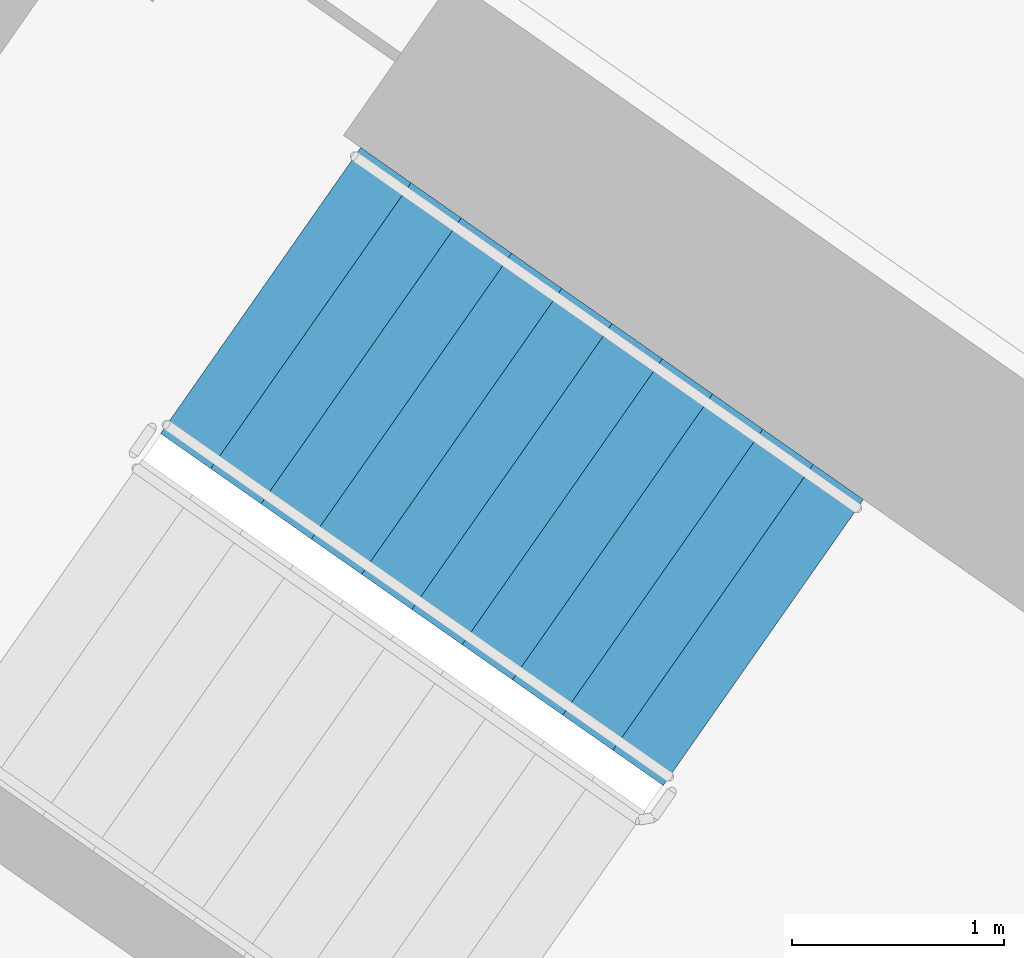
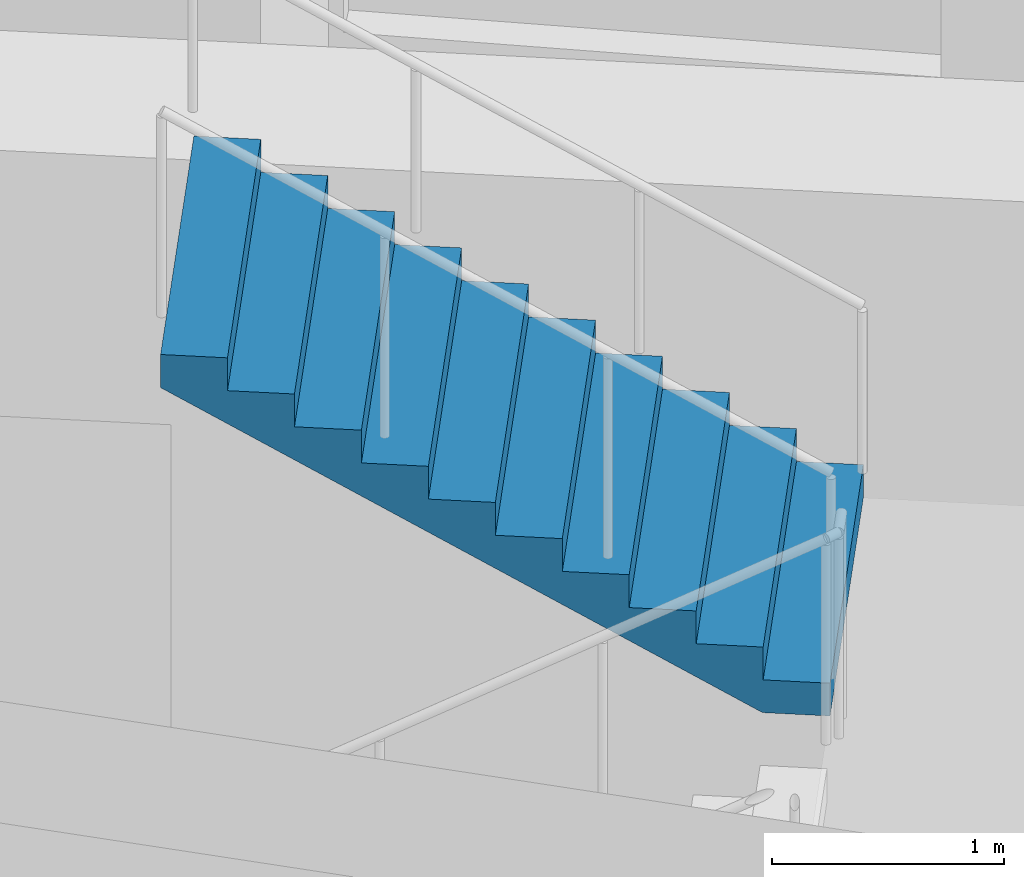
# One storey, part 13 of 29: 1 stair flight, 1 element without a shape of its own.
"""IFC4 building model written with IfcOpenShell, lengths in metres."""

from ifc_helpers import new_model, si_unit, direction, frame, origin, place, context, subcontext, project, spatial, faceted_brep, material, type_object, element, aggregate, save


model = new_model("IFC4")

# Units and contexts
model_context = context("Model", 3, precision=1e-05, world=origin(), true_north=direction((0.0, 1.0)))
body_context = subcontext(model_context, "Body", "Model", "MODEL_VIEW")
ifc_project = project(units=[si_unit("LENGTHUNIT", "METRE"), si_unit("AREAUNIT", "SQUARE_METRE"), si_unit("VOLUMEUNIT", "CUBIC_METRE"), si_unit("PLANEANGLEUNIT", "RADIAN"), si_unit("MASSUNIT", "GRAM", prefix="KILO")], contexts=[model_context])

# Site, building, storey
site_placement = place(None, origin())
site = spatial("IfcSite", under=ifc_project, at=site_placement, CompositionType="ELEMENT")
building_placement = place(site_placement, origin())
building = spatial("IfcBuilding", under=site, at=building_placement, Name="Qamariyya Broadcast Tower", CompositionType="ELEMENT")
storey_placement = place(building_placement, frame((0.0, 0.0, 136.699951171875)))
storey = spatial("IfcBuildingStorey", under=building, at=storey_placement, Name="L31", CompositionType="ELEMENT", Elevation=136.699951171875)

# Stair, stair flight
ifc_material = material(Name="Concrete C50/60", Category="concrete")
stair_type = type_object("IfcStairType", Name="Exit stair 22 risers of 173 mm", PredefinedType="HALF_TURN_STAIR", material=ifc_material)
stair_placement = place(storey_placement, origin())
stair = element("IfcStair", 1, at=stair_placement, inside=storey, type_object=stair_type, Name="L31 Stair W2", PredefinedType="HALF_TURN_STAIR")
stair_flight_type = type_object("IfcStairFlightType", Name="Exit stair flight 11 risers of 173 mm", PredefinedType="STRAIGHT", material=ifc_material)
stair_flight_placement = place(storey_placement, frame((-38.18310546875, -49.3486328125, 1.900146484375), z_axis=(0.0, 0.0, 1.0), x_axis=(-0.819152044289, 0.573576436351, 0.0)))
stair_flight = element("IfcStairFlight", 2, at=stair_flight_placement, type_object=stair_flight_type, Name="ST-W2 flight 2", NumberOfRisers=11, NumberOfTreads=10, PredefinedType="STRAIGHT", RiserHeight=0.172727273, TreadLength=0.29, context=body_context, shape_type="Brep", body=[
    faceted_brep([(0.0, 0.824951171875, 0.0), (0.0, 0.824951171875, 0.172607421875), (0.2900390625, 0.824951171875, 0.172607421875), (0.2900390625, 0.824951171875, 0.345458984375), (0.580078125, 0.824951171875, 0.345458984375), (0.580078125, 0.824951171875, 0.51806640625), (0.8701171875, 0.824951171875, 0.51806640625), (0.8701171875, 0.824951171875, 0.69091796875), (1.159912109375, 0.824951171875, 0.69091796875), (1.159912109375, 0.824951171875, 0.863525390625), (1.449951171875, 0.824951171875, 0.863525390625), (1.449951171875, 0.824951171875, 1.036376953125), (1.739990234375, 0.824951171875, 1.036376953125), (1.739990234375, 0.824951171875, 1.208984375), (2.030029296875, 0.824951171875, 1.208984375), (2.030029296875, 0.824951171875, 1.3818359375), (2.320068359375, 0.824951171875, 1.3818359375), (2.320068359375, 0.824951171875, 1.554443359375), (2.610107421875, 0.824951171875, 1.554443359375), (2.610107421875, 0.824951171875, 1.727294921875), (2.89990234375, 0.824951171875, 1.727294921875), (2.89990234375, 0.824951171875, 1.552734375), (0.29296875, 0.824951171875, 0.0), (0.29296875, -0.824951171875, 0.0), (2.89990234375, -0.824951171875, 1.552734375), (2.89990234375, -0.824951171875, 1.727294921875), (2.610107421875, -0.824951171875, 1.727294921875), (2.610107421875, -0.824951171875, 1.554443359375), (2.320068359375, -0.824951171875, 1.554443359375), (2.320068359375, -0.824951171875, 1.3818359375), (2.030029296875, -0.824951171875, 1.3818359375), (2.030029296875, -0.824951171875, 1.208984375), (1.739990234375, -0.824951171875, 1.208984375), (1.739990234375, -0.824951171875, 1.036376953125), (1.449951171875, -0.824951171875, 1.036376953125), (1.449951171875, -0.824951171875, 0.863525390625), (1.159912109375, -0.824951171875, 0.863525390625), (1.159912109375, -0.824951171875, 0.69091796875), (0.8701171875, -0.824951171875, 0.69091796875), (0.8701171875, -0.824951171875, 0.51806640625), (0.580078125, -0.824951171875, 0.51806640625), (0.580078125, -0.824951171875, 0.345458984375), (0.2900390625, -0.824951171875, 0.345458984375), (0.2900390625, -0.824951171875, 0.172607421875), (0.0, -0.824951171875, 0.172607421875), (0.0, -0.824951171875, 0.0), (0.0, 0.10009765625, 0.0), (0.0, 0.086669921875, 0.0), (0.0, 0.0732421875, 0.0), (0.0, 0.06005859375, 0.0), (0.0, 0.046630859375, 0.0), (0.0, 0.033447265625, 0.0), (0.0, 0.02001953125, 0.0), (0.0, 0.006591796875, 0.0), (0.0, -0.006591796875, 0.0), (0.0, -0.02001953125, 0.0), (0.0, -0.033447265625, 0.0), (0.0, -0.046630859375, 0.0), (0.0, -0.06005859375, 0.0), (0.0, -0.0732421875, 0.0), (0.0, -0.086669921875, 0.0), (0.0, -0.10009765625, 0.0), (0.0, -0.10009765625, 0.172607421875), (0.0, -0.086669921875, 0.172607421875), (0.0, -0.0732421875, 0.172607421875), (0.0, -0.06005859375, 0.172607421875), (0.0, -0.046630859375, 0.172607421875), (0.0, -0.033447265625, 0.172607421875), (0.0, -0.02001953125, 0.172607421875), (0.0, -0.006591796875, 0.172607421875), (0.0, 0.006591796875, 0.172607421875), (0.0, 0.02001953125, 0.172607421875), (0.0, 0.033447265625, 0.172607421875), (0.0, 0.046630859375, 0.172607421875), (0.0, 0.06005859375, 0.172607421875), (0.0, 0.0732421875, 0.172607421875), (0.0, 0.086669921875, 0.172607421875), (0.0, 0.10009765625, 0.172607421875), (0.2900390625, -0.10009765625, 0.172607421875), (0.2900390625, -0.086669921875, 0.172607421875), (0.2900390625, -0.0732421875, 0.172607421875), (0.2900390625, -0.06005859375, 0.172607421875), (0.2900390625, -0.046630859375, 0.172607421875), (0.2900390625, -0.033447265625, 0.172607421875), (0.2900390625, -0.02001953125, 0.172607421875), (0.2900390625, -0.006591796875, 0.172607421875), (0.2900390625, 0.006591796875, 0.172607421875), (0.2900390625, 0.02001953125, 0.172607421875), (0.2900390625, 0.033447265625, 0.172607421875), (0.2900390625, 0.046630859375, 0.172607421875), (0.2900390625, 0.06005859375, 0.172607421875), (0.2900390625, 0.0732421875, 0.172607421875), (0.2900390625, 0.086669921875, 0.172607421875), (0.2900390625, 0.10009765625, 0.172607421875), (0.2900390625, -0.10009765625, 0.345458984375), (0.2900390625, -0.086669921875, 0.345458984375), (0.2900390625, -0.0732421875, 0.345458984375), (0.2900390625, -0.06005859375, 0.345458984375), (0.2900390625, -0.046630859375, 0.345458984375), (0.2900390625, -0.033447265625, 0.345458984375), (0.2900390625, -0.02001953125, 0.345458984375), (0.2900390625, -0.006591796875, 0.345458984375), (0.2900390625, 0.006591796875, 0.345458984375), (0.2900390625, 0.02001953125, 0.345458984375), (0.2900390625, 0.033447265625, 0.345458984375), (0.2900390625, 0.046630859375, 0.345458984375), (0.2900390625, 0.06005859375, 0.345458984375), (0.2900390625, 0.0732421875, 0.345458984375), (0.2900390625, 0.086669921875, 0.345458984375), (0.2900390625, 0.10009765625, 0.345458984375), (0.580078125, -0.10009765625, 0.345458984375), (0.580078125, -0.086669921875, 0.345458984375), (0.580078125, -0.0732421875, 0.345458984375), (0.580078125, -0.06005859375, 0.345458984375), (0.580078125, -0.046630859375, 0.345458984375), (0.580078125, -0.033447265625, 0.345458984375), (0.580078125, -0.02001953125, 0.345458984375), (0.580078125, -0.006591796875, 0.345458984375), (0.580078125, 0.006591796875, 0.345458984375), (0.580078125, 0.02001953125, 0.345458984375), (0.580078125, 0.033447265625, 0.345458984375), (0.580078125, 0.046630859375, 0.345458984375), (0.580078125, 0.06005859375, 0.345458984375), (0.580078125, 0.0732421875, 0.345458984375), (0.580078125, 0.086669921875, 0.345458984375), (0.580078125, 0.10009765625, 0.345458984375), (0.580078125, -0.10009765625, 0.51806640625), (0.580078125, -0.086669921875, 0.51806640625), (0.580078125, -0.0732421875, 0.51806640625), (0.580078125, -0.06005859375, 0.51806640625), (0.580078125, -0.046630859375, 0.51806640625), (0.580078125, -0.033447265625, 0.51806640625), (0.580078125, -0.02001953125, 0.51806640625), (0.580078125, -0.006591796875, 0.51806640625), (0.580078125, 0.006591796875, 0.51806640625), (0.580078125, 0.02001953125, 0.51806640625), (0.580078125, 0.033447265625, 0.51806640625), (0.580078125, 0.046630859375, 0.51806640625), (0.580078125, 0.06005859375, 0.51806640625), (0.580078125, 0.0732421875, 0.51806640625), (0.580078125, 0.086669921875, 0.51806640625), (0.580078125, 0.10009765625, 0.51806640625), (0.8701171875, -0.10009765625, 0.51806640625), (0.8701171875, -0.086669921875, 0.51806640625), (0.8701171875, -0.0732421875, 0.51806640625), (0.8701171875, -0.06005859375, 0.51806640625), (0.8701171875, -0.046630859375, 0.51806640625), (0.8701171875, -0.033447265625, 0.51806640625), (0.8701171875, -0.02001953125, 0.51806640625), (0.8701171875, -0.006591796875, 0.51806640625), (0.8701171875, 0.006591796875, 0.51806640625), (0.8701171875, 0.02001953125, 0.51806640625), (0.8701171875, 0.033447265625, 0.51806640625), (0.8701171875, 0.046630859375, 0.51806640625), (0.8701171875, 0.06005859375, 0.51806640625), (0.8701171875, 0.0732421875, 0.51806640625), (0.8701171875, 0.086669921875, 0.51806640625), (0.8701171875, 0.10009765625, 0.51806640625), (0.8701171875, -0.10009765625, 0.69091796875), (0.8701171875, -0.086669921875, 0.69091796875), (0.8701171875, -0.0732421875, 0.69091796875), (0.8701171875, -0.06005859375, 0.69091796875), (0.8701171875, -0.046630859375, 0.69091796875), (0.8701171875, -0.033447265625, 0.69091796875), (0.8701171875, -0.02001953125, 0.69091796875), (0.8701171875, -0.006591796875, 0.69091796875), (0.8701171875, 0.006591796875, 0.69091796875), (0.8701171875, 0.02001953125, 0.69091796875), (0.8701171875, 0.033447265625, 0.69091796875), (0.8701171875, 0.046630859375, 0.69091796875), (0.8701171875, 0.06005859375, 0.69091796875), (0.8701171875, 0.0732421875, 0.69091796875), (0.8701171875, 0.086669921875, 0.69091796875), (0.8701171875, 0.10009765625, 0.69091796875), (1.159912109375, -0.10009765625, 0.69091796875), (1.159912109375, -0.086669921875, 0.69091796875), (1.159912109375, -0.0732421875, 0.69091796875), (1.159912109375, -0.06005859375, 0.69091796875), (1.159912109375, -0.046630859375, 0.69091796875), (1.159912109375, -0.033447265625, 0.69091796875), (1.159912109375, -0.02001953125, 0.69091796875), (1.159912109375, -0.006591796875, 0.69091796875), (1.159912109375, 0.006591796875, 0.69091796875), (1.159912109375, 0.02001953125, 0.69091796875), (1.159912109375, 0.033447265625, 0.69091796875), (1.159912109375, 0.046630859375, 0.69091796875), (1.159912109375, 0.06005859375, 0.69091796875), (1.159912109375, 0.0732421875, 0.69091796875), (1.159912109375, 0.086669921875, 0.69091796875), (1.159912109375, 0.10009765625, 0.69091796875), (1.159912109375, -0.10009765625, 0.863525390625), (1.159912109375, -0.086669921875, 0.863525390625), (1.159912109375, -0.0732421875, 0.863525390625), (1.159912109375, -0.06005859375, 0.863525390625), (1.159912109375, -0.046630859375, 0.863525390625), (1.159912109375, -0.033447265625, 0.863525390625), (1.159912109375, -0.02001953125, 0.863525390625), (1.159912109375, -0.006591796875, 0.863525390625), (1.159912109375, 0.006591796875, 0.863525390625), (1.159912109375, 0.02001953125, 0.863525390625), (1.159912109375, 0.033447265625, 0.863525390625), (1.159912109375, 0.046630859375, 0.863525390625), (1.159912109375, 0.06005859375, 0.863525390625), (1.159912109375, 0.0732421875, 0.863525390625), (1.159912109375, 0.086669921875, 0.863525390625), (1.159912109375, 0.10009765625, 0.863525390625), (1.449951171875, -0.10009765625, 0.863525390625), (1.449951171875, -0.086669921875, 0.863525390625), (1.449951171875, -0.0732421875, 0.863525390625), (1.449951171875, -0.06005859375, 0.863525390625), (1.449951171875, -0.046630859375, 0.863525390625), (1.449951171875, -0.033447265625, 0.863525390625), (1.449951171875, -0.02001953125, 0.863525390625), (1.449951171875, -0.006591796875, 0.863525390625), (1.449951171875, 0.006591796875, 0.863525390625), (1.449951171875, 0.02001953125, 0.863525390625), (1.449951171875, 0.033447265625, 0.863525390625), (1.449951171875, 0.046630859375, 0.863525390625), (1.449951171875, 0.06005859375, 0.863525390625), (1.449951171875, 0.0732421875, 0.863525390625), (1.449951171875, 0.086669921875, 0.863525390625), (1.449951171875, 0.10009765625, 0.863525390625), (1.449951171875, -0.10009765625, 1.036376953125), (1.449951171875, -0.086669921875, 1.036376953125), (1.449951171875, -0.0732421875, 1.036376953125), (1.449951171875, -0.06005859375, 1.036376953125), (1.449951171875, -0.046630859375, 1.036376953125), (1.449951171875, -0.033447265625, 1.036376953125), (1.449951171875, -0.02001953125, 1.036376953125), (1.449951171875, -0.006591796875, 1.036376953125), (1.449951171875, 0.006591796875, 1.036376953125), (1.449951171875, 0.02001953125, 1.036376953125), (1.449951171875, 0.033447265625, 1.036376953125), (1.449951171875, 0.046630859375, 1.036376953125), (1.449951171875, 0.06005859375, 1.036376953125), (1.449951171875, 0.0732421875, 1.036376953125), (1.449951171875, 0.086669921875, 1.036376953125), (1.449951171875, 0.10009765625, 1.036376953125), (1.739990234375, -0.10009765625, 1.036376953125), (1.739990234375, -0.086669921875, 1.036376953125), (1.739990234375, -0.0732421875, 1.036376953125), (1.739990234375, -0.06005859375, 1.036376953125), (1.739990234375, -0.046630859375, 1.036376953125), (1.739990234375, -0.033447265625, 1.036376953125), (1.739990234375, -0.02001953125, 1.036376953125), (1.739990234375, -0.006591796875, 1.036376953125), (1.739990234375, 0.006591796875, 1.036376953125), (1.739990234375, 0.02001953125, 1.036376953125), (1.739990234375, 0.033447265625, 1.036376953125), (1.739990234375, 0.046630859375, 1.036376953125), (1.739990234375, 0.06005859375, 1.036376953125), (1.739990234375, 0.0732421875, 1.036376953125), (1.739990234375, 0.086669921875, 1.036376953125), (1.739990234375, 0.10009765625, 1.036376953125), (1.739990234375, -0.10009765625, 1.208984375), (1.739990234375, -0.086669921875, 1.208984375), (1.739990234375, -0.0732421875, 1.208984375), (1.739990234375, -0.06005859375, 1.208984375), (1.739990234375, -0.046630859375, 1.208984375), (1.739990234375, -0.033447265625, 1.208984375), (1.739990234375, -0.02001953125, 1.208984375), (1.739990234375, -0.006591796875, 1.208984375), (1.739990234375, 0.006591796875, 1.208984375), (1.739990234375, 0.02001953125, 1.208984375), (1.739990234375, 0.033447265625, 1.208984375), (1.739990234375, 0.046630859375, 1.208984375), (1.739990234375, 0.06005859375, 1.208984375), (1.739990234375, 0.0732421875, 1.208984375), (1.739990234375, 0.086669921875, 1.208984375), (1.739990234375, 0.10009765625, 1.208984375), (2.030029296875, -0.10009765625, 1.208984375), (2.030029296875, -0.086669921875, 1.208984375), (2.030029296875, -0.0732421875, 1.208984375), (2.030029296875, -0.06005859375, 1.208984375), (2.030029296875, -0.046630859375, 1.208984375), (2.030029296875, -0.033447265625, 1.208984375), (2.030029296875, -0.02001953125, 1.208984375), (2.030029296875, -0.006591796875, 1.208984375), (2.030029296875, 0.006591796875, 1.208984375), (2.030029296875, 0.02001953125, 1.208984375), (2.030029296875, 0.033447265625, 1.208984375), (2.030029296875, 0.046630859375, 1.208984375), (2.030029296875, 0.06005859375, 1.208984375), (2.030029296875, 0.0732421875, 1.208984375), (2.030029296875, 0.086669921875, 1.208984375), (2.030029296875, 0.10009765625, 1.208984375), (2.030029296875, -0.10009765625, 1.3818359375), (2.030029296875, -0.086669921875, 1.3818359375), (2.030029296875, -0.0732421875, 1.3818359375), (2.030029296875, -0.06005859375, 1.3818359375), (2.030029296875, -0.046630859375, 1.3818359375), (2.030029296875, -0.033447265625, 1.3818359375), (2.030029296875, -0.02001953125, 1.3818359375), (2.030029296875, -0.006591796875, 1.3818359375), (2.030029296875, 0.006591796875, 1.3818359375), (2.030029296875, 0.02001953125, 1.3818359375), (2.030029296875, 0.033447265625, 1.3818359375), (2.030029296875, 0.046630859375, 1.3818359375), (2.030029296875, 0.06005859375, 1.3818359375), (2.030029296875, 0.0732421875, 1.3818359375), (2.030029296875, 0.086669921875, 1.3818359375), (2.030029296875, 0.10009765625, 1.3818359375), (2.320068359375, -0.10009765625, 1.3818359375), (2.320068359375, -0.086669921875, 1.3818359375), (2.320068359375, -0.0732421875, 1.3818359375), (2.320068359375, -0.06005859375, 1.3818359375), (2.320068359375, -0.046630859375, 1.3818359375), (2.320068359375, -0.033447265625, 1.3818359375), (2.320068359375, -0.02001953125, 1.3818359375), (2.320068359375, -0.006591796875, 1.3818359375), (2.320068359375, 0.006591796875, 1.3818359375), (2.320068359375, 0.02001953125, 1.3818359375), (2.320068359375, 0.033447265625, 1.3818359375), (2.320068359375, 0.046630859375, 1.3818359375), (2.320068359375, 0.06005859375, 1.3818359375), (2.320068359375, 0.0732421875, 1.3818359375), (2.320068359375, 0.086669921875, 1.3818359375), (2.320068359375, 0.10009765625, 1.3818359375), (2.320068359375, -0.10009765625, 1.554443359375), (2.320068359375, -0.086669921875, 1.554443359375), (2.320068359375, -0.0732421875, 1.554443359375), (2.320068359375, -0.06005859375, 1.554443359375), (2.320068359375, -0.046630859375, 1.554443359375), (2.320068359375, -0.033447265625, 1.554443359375), (2.320068359375, -0.02001953125, 1.554443359375), (2.320068359375, -0.006591796875, 1.554443359375), (2.320068359375, 0.006591796875, 1.554443359375), (2.320068359375, 0.02001953125, 1.554443359375), (2.320068359375, 0.033447265625, 1.554443359375), (2.320068359375, 0.046630859375, 1.554443359375), (2.320068359375, 0.06005859375, 1.554443359375), (2.320068359375, 0.0732421875, 1.554443359375), (2.320068359375, 0.086669921875, 1.554443359375), (2.320068359375, 0.10009765625, 1.554443359375), (2.610107421875, -0.10009765625, 1.554443359375), (2.610107421875, -0.086669921875, 1.554443359375), (2.610107421875, -0.0732421875, 1.554443359375), (2.610107421875, -0.06005859375, 1.554443359375), (2.610107421875, -0.046630859375, 1.554443359375), (2.610107421875, -0.033447265625, 1.554443359375), (2.610107421875, -0.02001953125, 1.554443359375), (2.610107421875, -0.006591796875, 1.554443359375), (2.610107421875, 0.006591796875, 1.554443359375), (2.610107421875, 0.02001953125, 1.554443359375), (2.610107421875, 0.033447265625, 1.554443359375), (2.610107421875, 0.046630859375, 1.554443359375), (2.610107421875, 0.06005859375, 1.554443359375), (2.610107421875, 0.0732421875, 1.554443359375), (2.610107421875, 0.086669921875, 1.554443359375), (2.610107421875, 0.10009765625, 1.554443359375), (2.610107421875, -0.10009765625, 1.727294921875), (2.610107421875, -0.086669921875, 1.727294921875), (2.610107421875, -0.0732421875, 1.727294921875), (2.610107421875, -0.06005859375, 1.727294921875), (2.610107421875, -0.046630859375, 1.727294921875), (2.610107421875, -0.033447265625, 1.727294921875), (2.610107421875, -0.02001953125, 1.727294921875), (2.610107421875, -0.006591796875, 1.727294921875), (2.610107421875, 0.006591796875, 1.727294921875), (2.610107421875, 0.02001953125, 1.727294921875), (2.610107421875, 0.033447265625, 1.727294921875), (2.610107421875, 0.046630859375, 1.727294921875), (2.610107421875, 0.06005859375, 1.727294921875), (2.610107421875, 0.0732421875, 1.727294921875), (2.610107421875, 0.086669921875, 1.727294921875), (2.610107421875, 0.10009765625, 1.727294921875), (2.89990234375, -0.10009765625, 1.727294921875), (2.89990234375, -0.086669921875, 1.727294921875), (2.89990234375, -0.0732421875, 1.727294921875), (2.89990234375, -0.06005859375, 1.727294921875), (2.89990234375, -0.046630859375, 1.727294921875), (2.89990234375, -0.033447265625, 1.727294921875), (2.89990234375, -0.02001953125, 1.727294921875), (2.89990234375, -0.006591796875, 1.727294921875), (2.89990234375, 0.006591796875, 1.727294921875), (2.89990234375, 0.02001953125, 1.727294921875), (2.89990234375, 0.033447265625, 1.727294921875), (2.89990234375, 0.046630859375, 1.727294921875), (2.89990234375, 0.06005859375, 1.727294921875), (2.89990234375, 0.0732421875, 1.727294921875), (2.89990234375, 0.086669921875, 1.727294921875), (2.89990234375, 0.10009765625, 1.727294921875), (2.89990234375, -0.10009765625, 1.552734375), (2.89990234375, -0.086669921875, 1.552734375), (2.89990234375, -0.0732421875, 1.552734375), (2.89990234375, -0.06005859375, 1.552734375), (2.89990234375, -0.046630859375, 1.552734375), (2.89990234375, -0.033447265625, 1.552734375), (2.89990234375, -0.02001953125, 1.552734375), (2.89990234375, -0.006591796875, 1.552734375), (2.89990234375, 0.006591796875, 1.552734375), (2.89990234375, 0.02001953125, 1.552734375), (2.89990234375, 0.033447265625, 1.552734375), (2.89990234375, 0.046630859375, 1.552734375), (2.89990234375, 0.06005859375, 1.552734375), (2.89990234375, 0.0732421875, 1.552734375), (2.89990234375, 0.086669921875, 1.552734375), (2.89990234375, 0.10009765625, 1.552734375), (0.29296875, -0.10009765625, 0.0), (0.29296875, -0.086669921875, 0.0), (0.29296875, -0.0732421875, 0.0), (0.29296875, -0.06005859375, 0.0), (0.29296875, -0.046630859375, 0.0), (0.29296875, -0.033447265625, 0.0), (0.29296875, -0.02001953125, 0.0), (0.29296875, -0.006591796875, 0.0), (0.29296875, 0.006591796875, 0.0), (0.29296875, 0.02001953125, 0.0), (0.29296875, 0.033447265625, 0.0), (0.29296875, 0.046630859375, 0.0), (0.29296875, 0.06005859375, 0.0), (0.29296875, 0.0732421875, 0.0), (0.29296875, 0.086669921875, 0.0), (0.29296875, 0.10009765625, 0.0)], [[[0, 1, 2, 3, 4, 5, 6, 7, 8, 9, 10, 11, 12, 13, 14, 15, 16, 17, 18, 19, 20, 21, 22]], [[23, 24, 25, 26, 27, 28, 29, 30, 31, 32, 33, 34, 35, 36, 37, 38, 39, 40, 41, 42, 43, 44, 45]], [[0, 46, 47, 48, 49, 50, 51, 52, 53, 54, 55, 56, 57, 58, 59, 60, 61, 45, 44, 62, 63, 64, 65, 66, 67, 68, 69, 70, 71, 72, 73, 74, 75, 76, 77, 1]], [[1, 77, 76, 75, 74, 73, 72, 71, 70, 69, 68, 67, 66, 65, 64, 63, 62, 44, 43, 78, 79, 80, 81, 82, 83, 84, 85, 86, 87, 88, 89, 90, 91, 92, 93, 2]], [[2, 93, 92, 91, 90, 89, 88, 87, 86, 85, 84, 83, 82, 81, 80, 79, 78, 43, 42, 94, 95, 96, 97, 98, 99, 100, 101, 102, 103, 104, 105, 106, 107, 108, 109, 3]], [[3, 109, 108, 107, 106, 105, 104, 103, 102, 101, 100, 99, 98, 97, 96, 95, 94, 42, 41, 110, 111, 112, 113, 114, 115, 116, 117, 118, 119, 120, 121, 122, 123, 124, 125, 4]], [[4, 125, 124, 123, 122, 121, 120, 119, 118, 117, 116, 115, 114, 113, 112, 111, 110, 41, 40, 126, 127, 128, 129, 130, 131, 132, 133, 134, 135, 136, 137, 138, 139, 140, 141, 5]], [[5, 141, 140, 139, 138, 137, 136, 135, 134, 133, 132, 131, 130, 129, 128, 127, 126, 40, 39, 142, 143, 144, 145, 146, 147, 148, 149, 150, 151, 152, 153, 154, 155, 156, 157, 6]], [[6, 157, 156, 155, 154, 153, 152, 151, 150, 149, 148, 147, 146, 145, 144, 143, 142, 39, 38, 158, 159, 160, 161, 162, 163, 164, 165, 166, 167, 168, 169, 170, 171, 172, 173, 7]], [[7, 173, 172, 171, 170, 169, 168, 167, 166, 165, 164, 163, 162, 161, 160, 159, 158, 38, 37, 174, 175, 176, 177, 178, 179, 180, 181, 182, 183, 184, 185, 186, 187, 188, 189, 8]], [[8, 189, 188, 187, 186, 185, 184, 183, 182, 181, 180, 179, 178, 177, 176, 175, 174, 37, 36, 190, 191, 192, 193, 194, 195, 196, 197, 198, 199, 200, 201, 202, 203, 204, 205, 9]], [[9, 205, 204, 203, 202, 201, 200, 199, 198, 197, 196, 195, 194, 193, 192, 191, 190, 36, 35, 206, 207, 208, 209, 210, 211, 212, 213, 214, 215, 216, 217, 218, 219, 220, 221, 10]], [[10, 221, 220, 219, 218, 217, 216, 215, 214, 213, 212, 211, 210, 209, 208, 207, 206, 35, 34, 222, 223, 224, 225, 226, 227, 228, 229, 230, 231, 232, 233, 234, 235, 236, 237, 11]], [[11, 237, 236, 235, 234, 233, 232, 231, 230, 229, 228, 227, 226, 225, 224, 223, 222, 34, 33, 238, 239, 240, 241, 242, 243, 244, 245, 246, 247, 248, 249, 250, 251, 252, 253, 12]], [[12, 253, 252, 251, 250, 249, 248, 247, 246, 245, 244, 243, 242, 241, 240, 239, 238, 33, 32, 254, 255, 256, 257, 258, 259, 260, 261, 262, 263, 264, 265, 266, 267, 268, 269, 13]], [[13, 269, 268, 267, 266, 265, 264, 263, 262, 261, 260, 259, 258, 257, 256, 255, 254, 32, 31, 270, 271, 272, 273, 274, 275, 276, 277, 278, 279, 280, 281, 282, 283, 284, 285, 14]], [[14, 285, 284, 283, 282, 281, 280, 279, 278, 277, 276, 275, 274, 273, 272, 271, 270, 31, 30, 286, 287, 288, 289, 290, 291, 292, 293, 294, 295, 296, 297, 298, 299, 300, 301, 15]], [[15, 301, 300, 299, 298, 297, 296, 295, 294, 293, 292, 291, 290, 289, 288, 287, 286, 30, 29, 302, 303, 304, 305, 306, 307, 308, 309, 310, 311, 312, 313, 314, 315, 316, 317, 16]], [[16, 317, 316, 315, 314, 313, 312, 311, 310, 309, 308, 307, 306, 305, 304, 303, 302, 29, 28, 318, 319, 320, 321, 322, 323, 324, 325, 326, 327, 328, 329, 330, 331, 332, 333, 17]], [[17, 333, 332, 331, 330, 329, 328, 327, 326, 325, 324, 323, 322, 321, 320, 319, 318, 28, 27, 334, 335, 336, 337, 338, 339, 340, 341, 342, 343, 344, 345, 346, 347, 348, 349, 18]], [[18, 349, 348, 347, 346, 345, 344, 343, 342, 341, 340, 339, 338, 337, 336, 335, 334, 27, 26, 350, 351, 352, 353, 354, 355, 356, 357, 358, 359, 360, 361, 362, 363, 364, 365, 19]], [[19, 365, 364, 363, 362, 361, 360, 359, 358, 357, 356, 355, 354, 353, 352, 351, 350, 26, 25, 366, 367, 368, 369, 370, 371, 372, 373, 374, 375, 376, 377, 378, 379, 380, 381, 20]], [[20, 381, 380, 379, 378, 377, 376, 375, 374, 373, 372, 371, 370, 369, 368, 367, 366, 25, 24, 382, 383, 384, 385, 386, 387, 388, 389, 390, 391, 392, 393, 394, 395, 396, 397, 21]], [[21, 397, 396, 395, 394, 393, 392, 391, 390, 389, 388, 387, 386, 385, 384, 383, 382, 24, 23, 398, 399, 400, 401, 402, 403, 404, 405, 406, 407, 408, 409, 410, 411, 412, 413, 22]], [[22, 413, 412, 411, 410, 409, 408, 407, 406, 405, 404, 403, 402, 401, 400, 399, 398, 23, 45, 61, 60, 59, 58, 57, 56, 55, 54, 53, 52, 51, 50, 49, 48, 47, 46, 0]]]),
])
aggregate(stair, [stair_flight])

save(model, "model.ifc")
